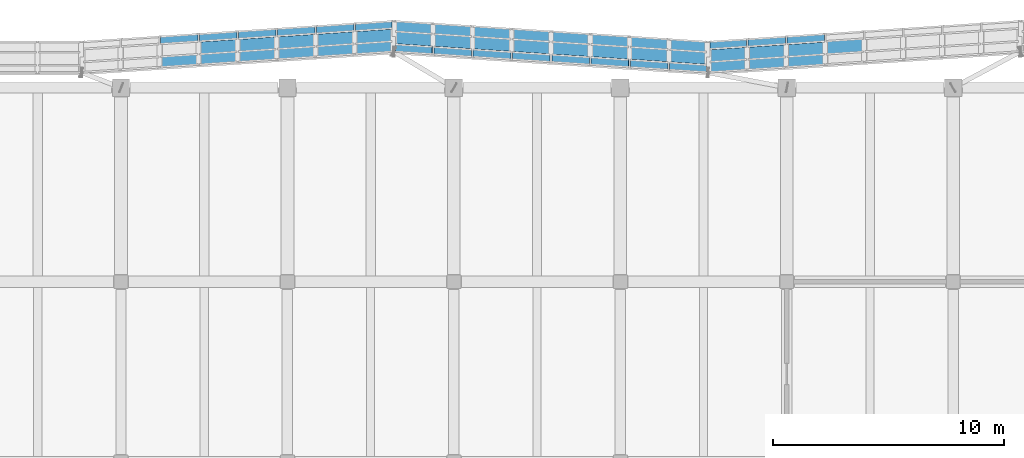
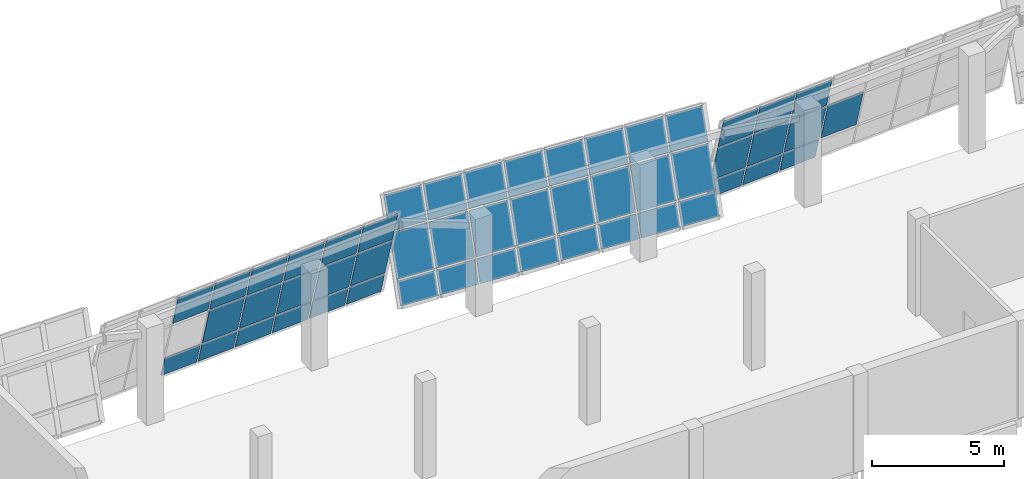
# One storey, part 45 of 71: 51 plates, 3 elements without a shape of their own.
"""IFC4 building model written with IfcOpenShell, lengths in metres."""

import ifcopenshell
import ifcopenshell.guid

model = None  # the IFC model being written
_history = None  # IfcOwnerHistory: only IFC2X3 demands one
_inside = {}  # id of a spatial element -> (the spatial element, [elements in it])
_under = {}  # id of a project, library or spatial element -> (it, [spatial elements below it])
_declared = {}  # id of a project -> (the project, [libraries it declares])
_typed = {}  # id of a type object -> (the type object, [elements of that type])
_made_of = {}  # id of a material, layer set ... -> (it, [elements and type objects made of it])


def new_model(schema):
    """Start an empty IFC model of exactly this schema.

    Asked for "IFC4X3", IfcOpenShell would pick the latest addendum, in which some entities
    have other attributes; the version numbers below select the first issue.
    IFC2X3 requires an IfcOwnerHistory on every rooted entity: one is made here for all.
    """
    global model, _history
    if schema == "IFC4X3":
        model = ifcopenshell.file(schema_version=(4, 3, 0, 0))
    else:
        model = ifcopenshell.file(schema=schema)
    _inside.clear()
    _under.clear()
    _declared.clear()
    _typed.clear()
    _made_of.clear()
    _history = None
    if model.schema == "IFC2X3":
        org = make("IfcOrganization", Name="unknown")
        user = make(
            "IfcPersonAndOrganization",
            ThePerson=make("IfcPerson", FamilyName="unknown"),
            TheOrganization=org,
        )
        app = make(
            "IfcApplication",
            ApplicationDeveloper=org,
            Version="unknown",
            ApplicationFullName="unknown",
            ApplicationIdentifier="unknown",
        )
        _history = make(
            "IfcOwnerHistory",
            OwningUser=user,
            OwningApplication=app,
            ChangeAction="ADDED",
            CreationDate=0,
        )
    return model


def make(cls, **values):
    """One entity of the class cls with the attributes given. An attribute that is None is left unset."""
    return model.create_entity(
        cls, **{name: value for name, value in values.items() if value is not None}
    )


def rooted(cls, **values):
    """An entity with a GlobalId (a new one), such as an element, a storey or a relation."""
    return make(cls, GlobalId=ifcopenshell.guid.new(), OwnerHistory=_history, **values)


def si_unit(unit_type, name, prefix=None):
    """IfcSIUnit, for example si_unit("LENGTHUNIT", "METRE", prefix="MILLI")."""
    return make("IfcSIUnit", UnitType=unit_type, Prefix=prefix, Name=name)


def assignment(units):
    """IfcUnitAssignment: the units of a project."""
    return None if units is None else make("IfcUnitAssignment", Units=units)


def point(xyz):
    """IfcCartesianPoint."""
    return None if xyz is None else make("IfcCartesianPoint", Coordinates=xyz)


def direction(xyz):
    """IfcDirection."""
    return None if xyz is None else make("IfcDirection", DirectionRatios=xyz)


def frame(location, z_axis=None, x_axis=None):
    """IfcAxis2Placement3D, a coordinate frame: its origin and axes. An axis left out is left unset."""
    return make(
        "IfcAxis2Placement3D",
        Location=point(location),
        Axis=direction(z_axis),
        RefDirection=direction(x_axis),
    )


def origin():
    """The frame at (0, 0, 0) with its axes left unset."""
    return frame((0.0, 0.0, 0.0))


def place(relative_to, where):
    """IfcLocalPlacement: puts the frame where relative to a parent placement (None: the world)."""
    return make(
        "IfcLocalPlacement", PlacementRelTo=relative_to, RelativePlacement=where
    )


def context(
    kind, dimensions, precision=None, world=None, true_north=None, identifier=None
):
    """IfcGeometricRepresentationContext, for example the 3D "Model" context."""
    return make(
        "IfcGeometricRepresentationContext",
        ContextIdentifier=identifier,
        ContextType=kind,
        CoordinateSpaceDimension=dimensions,
        Precision=precision,
        WorldCoordinateSystem=world,
        TrueNorth=true_north,
    )


def subcontext(parent, identifier, kind, view, scale=None):
    """IfcGeometricRepresentationSubContext, for example "Body" below "Model"."""
    return make(
        "IfcGeometricRepresentationSubContext",
        ContextIdentifier=identifier,
        ContextType=kind,
        ParentContext=parent,
        TargetScale=scale,
        TargetView=view,
    )


def project(units=None, contexts=None):
    """IfcProject with its units and contexts."""
    return rooted(
        "IfcProject",
        Name="project",
        RepresentationContexts=contexts,
        UnitsInContext=assignment(units),
    )


def spatial(cls, under=None, at=None, **own):
    """A site, building, storey or space (cls), placed at a placement, below another one or the project."""
    s = rooted(cls, ObjectPlacement=at, **own)
    if under is not None:
        _under.setdefault(under.id(), (under, []))[1].append(s)
    return s


def polyline(points):
    """IfcPolyline through the points."""
    return make("IfcPolyline", Points=[point(p) for p in points])


def outline(outer, holes=None, kind="AREA"):
    """IfcArbitraryClosedProfileDef: a profile drawn as a closed curve; with holes, ...WithVoids."""
    if holes is None:
        return make("IfcArbitraryClosedProfileDef", ProfileType=kind, OuterCurve=outer)
    return make(
        "IfcArbitraryProfileDefWithVoids",
        ProfileType=kind,
        OuterCurve=outer,
        InnerCurves=holes,
    )


def extrude(swept, where, along, depth):
    """IfcExtrudedAreaSolid: the profile swept, set in the frame where, extruded along a direction by depth."""
    return make(
        "IfcExtrudedAreaSolid",
        SweptArea=swept,
        Position=where,
        ExtrudedDirection=direction(along),
        Depth=depth,
    )


def shape(context_of_items, identifier, shape_type, items):
    """IfcShapeRepresentation: the items that make up one representation, for example the "Body"."""
    return make(
        "IfcShapeRepresentation",
        ContextOfItems=context_of_items,
        RepresentationIdentifier=identifier,
        RepresentationType=shape_type,
        Items=items,
    )


def material(Name=None, Category=None):
    """IfcMaterial."""
    return make("IfcMaterial", Name=Name, Category=Category)


def layer(
    of_material, thickness, ventilated=None, Name=None, Category=None, Priority=None
):
    """IfcMaterialLayer: one layer of a wall or slab, of a material (None: an air gap)."""
    return make(
        "IfcMaterialLayer",
        Material=of_material,
        LayerThickness=thickness,
        IsVentilated=ventilated,
        Name=Name,
        Category=Category,
        Priority=Priority,
    )


def layer_set(layers, Name=None):
    """IfcMaterialLayerSet."""
    return make("IfcMaterialLayerSet", MaterialLayers=layers, LayerSetName=Name)


def made_of(thing, what):
    """Note that an element or type object is made of a material, layer set ...; save() writes the relation."""
    if what is not None:
        _made_of.setdefault(what.id(), (what, []))[1].append(thing)
    return thing


def type_object(cls, material=None, **own):
    """A type object (cls), such as IfcWallType, which elements share."""
    return made_of(rooted(cls, **own), material)


def element(
    cls,
    number,
    at=None,
    inside=None,
    cuts=None,
    type_object=None,
    material=None,
    context=None,
    identifier="Body",
    shape_type=None,
    held_by="IfcProductDefinitionShape",
    body=None,
    shapes=None,
    **own,
):
    """One element of the class cls, such as IfcWall. Its Tag is "e" and its number.

    at: its placement. inside: the storey or other place that contains it. cuts: it is an
    opening in that element (IfcRelVoidsElement). A single representation is given by context,
    identifier, shape_type and body (its items); several are given by shapes. held_by: the class
    of the entity that holds the representations. save() writes the other relations.
    """
    e = rooted(cls, Tag="e%d" % number, ObjectPlacement=at, **own)
    if body is not None:
        shapes = [shape(context, identifier, shape_type, body)]
    if shapes is not None:
        e.Representation = make(held_by, Representations=shapes)
    if inside is not None:
        _inside.setdefault(inside.id(), (inside, []))[1].append(e)
    if cuts is not None:
        rooted(
            "IfcRelVoidsElement", RelatingBuildingElement=cuts, RelatedOpeningElement=e
        )
    if type_object is not None:
        _typed.setdefault(type_object.id(), (type_object, []))[1].append(e)
    return made_of(e, material)


def aggregate(whole, parts):
    """IfcRelAggregates: a whole, such as a stair, and the parts it consists of."""
    return rooted("IfcRelAggregates", RelatingObject=whole, RelatedObjects=parts)


def save(model, path):
    """Write the relations noted so far, then the file.

    IfcRelAggregates (storeys below a building ...), IfcRelContainedInSpatialStructure (elements
    in a storey), IfcRelDefinesByType, IfcRelAssociatesMaterial and IfcRelDeclares: one each for
    every whole, place, type object, material and project.
    """
    for whole, parts in _under.values():
        aggregate(whole, parts)
    for where, things in _inside.values():
        rooted(
            "IfcRelContainedInSpatialStructure",
            RelatedElements=things,
            RelatingStructure=where,
        )
    for kind, things in _typed.values():
        rooted("IfcRelDefinesByType", RelatedObjects=things, RelatingType=kind)
    for what, things in _made_of.values():
        rooted("IfcRelAssociatesMaterial", RelatedObjects=things, RelatingMaterial=what)
    for by, libraries in _declared.values():
        rooted("IfcRelDeclares", RelatingContext=by, RelatedDefinitions=libraries)
    model.write(path)


model = new_model("IFC4")

# Units and contexts
model_context = context("Model", 3, precision=1e-05, world=origin(), true_north=direction((0.0, 1.0)))
body_context = subcontext(model_context, "Body", "Model", "MODEL_VIEW")
ifc_project = project(units=[si_unit("LENGTHUNIT", "METRE"), si_unit("AREAUNIT", "SQUARE_METRE"), si_unit("VOLUMEUNIT", "CUBIC_METRE"), si_unit("PLANEANGLEUNIT", "RADIAN"), si_unit("MASSUNIT", "GRAM", prefix="KILO")], contexts=[model_context])

# Site, building, storey
site_placement = place(None, origin())
site = spatial("IfcSite", under=ifc_project, at=site_placement, CompositionType="ELEMENT")
building_placement = place(site_placement, origin())
building = spatial("IfcBuilding", under=site, at=building_placement, Name="Pellamere Symphony Hall", CompositionType="ELEMENT")
storey_placement = place(building_placement, frame((0.0, 0.0, 15.0)))
storey = spatial("IfcBuildingStorey", under=building, at=storey_placement, Name="L03", CompositionType="ELEMENT", Elevation=15.0)

# Curtain wall, plates
ifc_material_1 = material(Name="Thermally Broken Anodised Aluminium 6063-T6 Curtain Wall", Category="aluminium")
curtain_wall_type = type_object("IfcCurtainWallType", Name="Curtain Wall CW-01 (Tilted Faceted Crystal Low-Iron Curtain Wall)", PredefinedType="NOTDEFINED", material=ifc_material_1)
curtain_wall_1_placement = place(storey_placement, origin())
curtain_wall_1 = element("IfcCurtainWall", 1, at=curtain_wall_1_placement, inside=storey, type_object=curtain_wall_type, Name="Crystal Faceted Curtain Wall CW-CR11 (L03)", PredefinedType="NOTDEFINED")
ifc_material_2 = material(Name="Triple Laminated Acoustic Crystal Glazing 42mm", Category="glass")
ifc_layer = layer(ifc_material_2, 0.0419921875, Name="Triple Laminated Acoustic Crystal Glazing 42mm")
ifc_layer_set = layer_set([ifc_layer], Name="Triple Laminated Acoustic Crystal Glazing 42mm")
plate_type = type_object("IfcPlateType", Name="Facade Panel GL-02 42mm", PredefinedType="CURTAIN_PANEL", material=ifc_layer_set)
plate_1_placement = place(storey_placement, frame((98.112548828125, 95.699951171875, 1.115966796875), z_axis=(-0.063742803838, 0.956866407618, 0.283449348087), x_axis=(-0.997788498757, -0.06646887804, 0.0)))
plate_1 = element("IfcPlate", 2, at=plate_1_placement, type_object=plate_type, Name="CW1-026 crystal glass panel 5.2", PredefinedType="CURTAIN_PANEL", context=body_context, shape_type="SweptSolid", body=[
    extrude(outline(polyline([(0.0, 0.0), (1.616122885895694, 0.0), (1.6519213099571914, 1.895870161008751), (0.03579842406149748, 1.895870161008751), (0.0, 0.0)])), origin(), (0.0, 0.0, -1.0), 0.0419921875),
])
plate_2_placement = place(storey_placement, frame((96.425048828125, 95.896728515625, 0.072021484375), z_axis=(-0.063739669233, 0.956819352916, 0.283608851153), x_axis=(-0.997788498757, -0.06646887804, 0.0)))
plate_2 = element("IfcPlate", 3, at=plate_2_placement, type_object=plate_type, Name="CW1-026 crystal glass panel 6.1", PredefinedType="CURTAIN_PANEL", context=body_context, shape_type="SweptSolid", body=[
    extrude(outline(polyline([(0.0, 0.0), (1.616122885895694, -3.469446951953614e-18), (1.6352716349403753, 1.0135397182510573), (0.019148749044681338, 1.0135397182510573), (0.0, 0.0)])), origin(), (0.0, 0.0, -1.0), 0.0419921875),
])
plate_3_placement = place(storey_placement, frame((96.425048828125, 95.58740234375, 1.115966796875), z_axis=(-0.063742803838, 0.956866407618, 0.283449348087), x_axis=(-0.997788498757, -0.06646887804, 0.0)))
plate_3 = element("IfcPlate", 4, at=plate_3_placement, type_object=plate_type, Name="CW1-026 crystal glass panel 6.2", PredefinedType="CURTAIN_PANEL", context=body_context, shape_type="SweptSolid", body=[
    extrude(outline(polyline([(0.0, 0.0), (1.616122885895694, 0.0), (1.6519213099571914, 1.895870161008751), (0.03579842406149748, 1.895870161008751), (0.0, 0.0)])), origin(), (0.0, 0.0, -1.0), 0.0419921875),
])
plate_4_placement = place(storey_placement, frame((96.425048828125, 95.027587890625, 3.005859375), z_axis=(-0.063741380075, 0.956845034984, 0.283521807791), x_axis=(-0.997788498757, -0.06646887804, 0.0)))
plate_4 = element("IfcPlate", 5, at=plate_4_placement, type_object=plate_type, Name="CW1-026 crystal glass panel 6.3", PredefinedType="CURTAIN_PANEL", context=body_context, shape_type="SweptSolid", body=[
    extrude(outline(polyline([(0.0, 0.0), (1.616122885895694, -3.469446951953614e-18), (1.6441319883118974, 1.4829717148525519), (0.02800910241620338, 1.4829717148525519), (0.0, 0.0)])), origin(), (0.0, 0.0, -1.0), 0.0419921875),
])
plate_5_placement = place(storey_placement, frame((94.737548828125, 95.7841796875, 0.072021484375), z_axis=(-0.063813980382, 0.956847537844, 0.283497028608), x_axis=(-0.99778388931, -0.066538032828, -2.0489291e-05)))
plate_5 = element("IfcPlate", 6, at=plate_5_placement, type_object=plate_type, Name="CW1-026 crystal glass panel 7.1", PredefinedType="CURTAIN_PANEL", context=body_context, shape_type="SweptSolid", body=[
    extrude(outline(polyline([(0.0, 0.0), (1.6161228816748314, 0.0), (1.6352716392112494, 1.0135397113603168), (0.019132512899497058, 1.0134706512833356), (0.0, 0.0)])), origin(), (0.0, 0.0, -1.0), 0.0419921875),
])
plate_6_placement = place(storey_placement, frame((94.737548828125, 95.474853515625, 1.115966796875), z_axis=(-0.063742803838, 0.956866407618, 0.283449348087), x_axis=(-0.997788498757, -0.06646887804, 0.0)))
plate_6 = element("IfcPlate", 7, at=plate_6_placement, type_object=plate_type, Name="CW1-026 crystal glass panel 7.2", PredefinedType="CURTAIN_PANEL", context=body_context, shape_type="SweptSolid", body=[
    extrude(outline(polyline([(0.0, 0.0), (1.616122885895694, 0.0), (1.6519213099571914, 1.895870161008751), (0.03579842406149748, 1.895870161008751), (0.0, 0.0)])), origin(), (0.0, 0.0, -1.0), 0.0419921875),
])
plate_7_placement = place(storey_placement, frame((94.737548828125, 94.9150390625, 3.005859375), z_axis=(-0.063815004476, 0.956862893455, 0.283444965263), x_axis=(-0.997783889163, -0.066538035048, -2.0485857e-05)))
plate_7 = element("IfcPlate", 8, at=plate_7_placement, type_object=plate_type, Name="CW1-026 crystal glass panel 7.3", PredefinedType="CURTAIN_PANEL", context=body_context, shape_type="SweptSolid", body=[
    extrude(outline(polyline([(0.0, 0.0), (1.616122881674696, -3.469446951953614e-18), (1.64413199260605, 1.4829717100917374), (0.02799286629389127, 1.4829026626974238), (0.0, 0.0)])), origin(), (0.0, 0.0, -1.0), 0.0419921875),
])
plate_8_placement = place(storey_placement, frame((93.050048828125, 95.671630859375, 0.072021484375), z_axis=(-0.063772413154, 0.956882813184, 0.283387298856), x_axis=(-0.997786526209, -0.066498482063, 0.0)))
plate_8 = element("IfcPlate", 9, at=plate_8_placement, type_object=plate_type, Name="CW1-026 crystal glass panel 8.1", PredefinedType="CURTAIN_PANEL", context=body_context, shape_type="SweptSolid", body=[
    extrude(outline(polyline([(0.0, 0.0), (1.578689700777497, 0.0), (1.5978307433439352, 1.0134704969533417), (0.019141042566438286, 1.0134704969533417), (0.0, 0.0)])), origin(), (0.0, 0.0, -1.0), 0.0419921875),
])
plate_9_placement = place(storey_placement, frame((93.050048828125, 95.362548828125, 1.115966796875), z_axis=(-0.063918903753, 0.956855607916, 0.283446148928), x_axis=(-0.997776253366, -0.06665244346, 0.0)))
plate_9 = element("IfcPlate", 10, at=plate_9_placement, type_object=plate_type, Name="CW1-026 crystal glass panel 8.2", PredefinedType="CURTAIN_PANEL", context=body_context, shape_type="SweptSolid", body=[
    extrude(outline(polyline([(0.0, 0.0), (1.5787059545526818, -6.938893903907228e-18), (1.614603242216661, 1.895868291656096), (0.035897287663979247, 1.895868291656096), (0.0, 0.0)])), origin(), (0.0, 0.0, -1.0), 0.0419921875),
])
plate_10_placement = place(storey_placement, frame((93.050048828125, 94.802490234375, 3.005859375), z_axis=(-0.063772748726, 0.956887848324, 0.283370221177), x_axis=(-0.997786526209, -0.066498482063, 0.0)))
plate_10 = element("IfcPlate", 11, at=plate_10_placement, type_object=plate_type, Name="CW1-026 crystal glass panel 8.3", PredefinedType="CURTAIN_PANEL", context=body_context, shape_type="SweptSolid", body=[
    extrude(outline(polyline([(0.0, 0.0), (1.578689700777497, -3.469446951953614e-18), (1.6066950429548559, 1.4829024317369264), (0.028005342177358818, 1.4829024317369264), (0.0, 0.0)])), origin(), (0.0, 0.0, -1.0), 0.0419921875),
])
aggregate(curtain_wall_1, [plate_1, plate_2, plate_3, plate_4, plate_5, plate_6, plate_7, plate_8, plate_9, plate_10])

curtain_wall_2_placement = place(storey_placement, origin())
curtain_wall_2 = element("IfcCurtainWall", 12, at=curtain_wall_2_placement, inside=storey, type_object=curtain_wall_type, Name="Crystal Faceted Curtain Wall CW-CR12 (L03)", PredefinedType="NOTDEFINED")
plate_11_placement = place(storey_placement, frame((91.3251953125, 94.2763671875, 0.072021484375), z_axis=(-0.063264596493, -0.956913803698, 0.283396476905), x_axis=(-0.997821663418, 0.065969144414, 0.0)))
plate_11 = element("IfcPlate", 13, at=plate_11_placement, type_object=plate_type, Name="CW1-029 crystal glass panel 1.1", PredefinedType="CURTAIN_PANEL", context=body_context, shape_type="SweptSolid", body=[
    extrude(outline(polyline([(0.0, 0.0), (1.5913571364661865, -6.938893903907228e-18), (1.6103458135326572, -1.013473363166812), (0.018988677066470592, -1.013473363166812), (0.0, 0.0)])), origin(), (0.0, 0.0, -1.0), 0.0419921875),
])
plate_12_placement = place(storey_placement, frame((91.3251953125, 94.58544921875, 1.115966796875), z_axis=(-0.06340993004, -0.956886740091, 0.283455371108), x_axis=(-0.997811553112, 0.06612189105, 0.0)))
plate_12 = element("IfcPlate", 14, at=plate_12_placement, type_object=plate_type, Name="CW1-029 crystal glass panel 1.2", PredefinedType="CURTAIN_PANEL", context=body_context, shape_type="SweptSolid", body=[
    extrude(outline(polyline([(0.0, 0.0), (1.5913732608602584, 3.469446951953614e-18), (1.626984806674959, -1.895873680489637), (0.03561154581470058, -1.895873680489637), (0.0, 0.0)])), origin(), (0.0, 0.0, -1.0), 0.0419921875),
])
plate_13_placement = place(storey_placement, frame((91.3251953125, 95.145263671875, 3.005859375), z_axis=(-0.063336723899, -0.956892107407, 0.283453619113), x_axis=(-0.997816204768, 0.066051654553, 2.0805731e-05)))
plate_13 = element("IfcPlate", 15, at=plate_13_placement, type_object=plate_type, Name="CW1-029 crystal glass panel 1.3", PredefinedType="CURTAIN_PANEL", context=body_context, shape_type="SweptSolid", body=[
    extrude(outline(polyline([(0.0, 0.0), (1.591373256573352, 0.0), (1.6192200088896131, -1.4829054137007727), (0.02786287820848608, -1.482974464798596), (0.0, 0.0)])), origin(), (0.0, 0.0, -1.0), 0.0419921875),
])
plate_14_placement = place(storey_placement, frame((89.66259765625, 94.38623046875, 0.072021484375), z_axis=(-0.063317514813, -0.956877857224, 0.283506011704), x_axis=(-0.997817469146, 0.066032551464, 2.0331029e-05)))
plate_14 = element("IfcPlate", 16, at=plate_14_placement, type_object=plate_type, Name="CW1-029 crystal glass panel 2.1", PredefinedType="CURTAIN_PANEL", context=body_context, shape_type="SweptSolid", body=[
    extrude(outline(polyline([(0.0, 0.0), (1.6288064568611973, 3.469446951953614e-18), (1.6478331453379382, -1.0134726435317643), (0.019042809705125566, -1.0135417074877644), (0.0, 0.0)])), origin(), (0.0, 0.0, -1.0), 0.0419921875),
])
plate_15_placement = place(storey_placement, frame((89.66259765625, 94.695556640625, 1.115966796875), z_axis=(-0.063246887547, -0.956896659994, 0.283458309648), x_axis=(-0.997822801026, 0.065951935174, 0.0)))
plate_15 = element("IfcPlate", 17, at=plate_15_placement, type_object=plate_type, Name="CW1-029 crystal glass panel 2.2", PredefinedType="CURTAIN_PANEL", context=body_context, shape_type="SweptSolid", body=[
    extrude(outline(polyline([(0.0, 0.0), (1.628790341285339, 6.938893903907228e-18), (1.6643103532465653, -1.8958753976247777), (0.03552001196122634, -1.8958753976247777), (0.0, 0.0)])), origin(), (0.0, 0.0, -1.0), 0.0419921875),
])
plate_16_placement = place(storey_placement, frame((89.66259765625, 95.25537109375, 3.005859375), z_axis=(-0.063318531004, -0.956893214294, 0.283453946998), x_axis=(-0.997817469292, 0.066032549261, 2.0327621e-05)))
plate_16 = element("IfcPlate", 18, at=plate_16_placement, type_object=plate_type, Name="CW1-029 crystal glass panel 2.3", PredefinedType="CURTAIN_PANEL", context=body_context, shape_type="SweptSolid", body=[
    extrude(outline(polyline([(0.0, 0.0), (1.628806456861063, -6.938893903907228e-18), (1.6566444831961924, -1.4829055775359932), (0.027854147562976436, -1.4829746288086836), (0.0, 0.0)])), origin(), (0.0, 0.0, -1.0), 0.0419921875),
])
plate_17_placement = place(storey_placement, frame((87.962646484375, 94.498779296875, 0.072021484375), z_axis=(-0.063317514813, -0.956877857224, 0.283506011704), x_axis=(-0.997817469146, 0.066032551464, 2.0331029e-05)))
plate_17 = element("IfcPlate", 19, at=plate_17_placement, type_object=plate_type, Name="CW1-029 crystal glass panel 3.1", PredefinedType="CURTAIN_PANEL", context=body_context, shape_type="SweptSolid", body=[
    extrude(outline(polyline([(0.0, 0.0), (1.6288064568611973, 3.469446951953614e-18), (1.6478331453379382, -1.0134726435317643), (0.019042809705125566, -1.0135417074877644), (0.0, 0.0)])), origin(), (0.0, 0.0, -1.0), 0.0419921875),
])
plate_18_placement = place(storey_placement, frame((87.962646484375, 94.80810546875, 1.115966796875), z_axis=(-0.063246887547, -0.956896659994, 0.283458309648), x_axis=(-0.997822801026, 0.065951935174, 0.0)))
plate_18 = element("IfcPlate", 20, at=plate_18_placement, type_object=plate_type, Name="CW1-029 crystal glass panel 3.2", PredefinedType="CURTAIN_PANEL", context=body_context, shape_type="SweptSolid", body=[
    extrude(outline(polyline([(0.0, 0.0), (1.628790341285339, 6.938893903907228e-18), (1.6643103532465653, -1.8958753976247777), (0.03552001196122634, -1.8958753976247777), (0.0, 0.0)])), origin(), (0.0, 0.0, -1.0), 0.0419921875),
])
plate_19_placement = place(storey_placement, frame((87.962646484375, 95.367919921875, 3.005859375), z_axis=(-0.063318531004, -0.956893214294, 0.283453946998), x_axis=(-0.99781826272, 0.066020558679, -2.0327822e-05)))
plate_19 = element("IfcPlate", 21, at=plate_19_placement, type_object=plate_type, Name="CW1-029 crystal glass panel 3.3", PredefinedType="CURTAIN_PANEL", context=body_context, shape_type="SweptSolid", body=[
    extrude(outline(polyline([(0.0, 0.0), (1.628790337096903, 3.469446951953614e-18), (1.6565816151032986, -1.4829758083304945), (0.027775159705936955, -1.4829067563744196), (0.0, 0.0)])), origin(), (0.0, 0.0, -1.0), 0.0419921875),
])
plate_20_placement = place(storey_placement, frame((86.2626953125, 94.611328125, 0.072021484375), z_axis=(-0.063317514813, -0.956877857224, 0.283506011704), x_axis=(-0.997818262866, 0.066020556476, -2.033123e-05)))
plate_20 = element("IfcPlate", 22, at=plate_20_placement, type_object=plate_type, Name="CW1-029 crystal glass panel 4.1", PredefinedType="CURTAIN_PANEL", context=body_context, shape_type="SweptSolid", body=[
    extrude(outline(polyline([(0.0, 0.0), (1.6287903370970371, -6.938893903907228e-18), (1.6477901705969515, -1.0135425140297043), (0.01898371519999343, -1.0134734493901942), (0.0, 0.0)])), origin(), (0.0, 0.0, -1.0), 0.0419921875),
])
plate_21_placement = place(storey_placement, frame((86.2626953125, 94.920654296875, 1.115966796875), z_axis=(-0.063319624031, -0.956909732511, 0.283397934075), x_axis=(-0.997818262564, 0.066020561048, -2.0324156e-05)))
plate_21 = element("IfcPlate", 23, at=plate_21_placement, type_object=plate_type, Name="CW1-029 crystal glass panel 4.2", PredefinedType="CURTAIN_PANEL", context=body_context, shape_type="SweptSolid", body=[
    extrude(outline(polyline([(0.0, 0.0), (1.628790337096758, -3.469446951953614e-18), (1.6643103575264884, -1.8958753938676103), (0.03550390212869337, -1.8958063555567923), (0.0, 0.0)])), origin(), (0.0, 0.0, -1.0), 0.0419921875),
])
plate_22_placement = place(storey_placement, frame((86.2626953125, 95.48046875, 3.005859375), z_axis=(-0.063318531004, -0.956893214294, 0.283453946998), x_axis=(-0.99781826272, 0.066020558679, -2.0327822e-05)))
plate_22 = element("IfcPlate", 24, at=plate_22_placement, type_object=plate_type, Name="CW1-029 crystal glass panel 4.3", PredefinedType="CURTAIN_PANEL", context=body_context, shape_type="SweptSolid", body=[
    extrude(outline(polyline([(0.0, 0.0), (1.628790337096903, 3.469446951953614e-18), (1.6565816151032986, -1.4829758083304945), (0.027775159705936955, -1.4829067563744196), (0.0, 0.0)])), origin(), (0.0, 0.0, -1.0), 0.0419921875),
])
plate_23_placement = place(storey_placement, frame((84.5625, 94.723876953125, 0.072021484375), z_axis=(-0.063326989514, -0.956877280825, 0.283505840928), x_axis=(-0.997817609391, 0.066030432193, -2.0334247e-05)))
plate_23 = element("IfcPlate", 25, at=plate_23_placement, type_object=plate_type, Name="CW1-029 crystal glass panel 5.1", PredefinedType="CURTAIN_PANEL", context=body_context, shape_type="SweptSolid", body=[
    extrude(outline(polyline([(0.0, 0.0), (1.6285467280937327, 3.469446951953614e-18), (1.647549403716876, -1.013542460747381), (0.018986554912158612, -1.01347339619461), (0.0, 0.0)])), origin(), (0.0, 0.0, -1.0), 0.0419921875),
])
plate_24_placement = place(storey_placement, frame((84.5625, 95.032958984375, 1.115966796875), z_axis=(-0.063399538991, -0.956887373073, 0.283455558614), x_axis=(-0.997812270832, 0.066111059411, 0.0)))
plate_24 = element("IfcPlate", 26, at=plate_24_placement, type_object=plate_type, Name="CW1-029 crystal glass panel 5.2", PredefinedType="CURTAIN_PANEL", context=body_context, shape_type="SweptSolid", body=[
    extrude(outline(polyline([(0.0, 0.0), (1.6285628544580533, 0.0), (1.664168566630861, -1.8958737900581097), (0.035605712172807766, -1.8958737900581097), (0.0, 0.0)])), origin(), (0.0, 0.0, -1.0), 0.0419921875),
])
plate_25_placement = place(storey_placement, frame((84.5625, 95.593017578125, 3.005859375), z_axis=(-0.063328005856, -0.956892637868, 0.283453776247), x_axis=(-0.997817609245, 0.066030434396, -2.0330839e-05)))
plate_25 = element("IfcPlate", 27, at=plate_25_placement, type_object=plate_type, Name="CW1-029 crystal glass panel 5.3", PredefinedType="CURTAIN_PANEL", context=body_context, shape_type="SweptSolid", body=[
    extrude(outline(polyline([(0.0, 0.0), (1.6285467280935984, 0.0), (1.6563421633067859, -1.4829757304177427), (0.02777931450166513, -1.4829066785483926), (0.0, 0.0)])), origin(), (0.0, 0.0, -1.0), 0.0419921875),
])
plate_26_placement = place(storey_placement, frame((82.862548828125, 94.836181640625, 0.072021484375), z_axis=(-0.063317514813, -0.956877857224, 0.283506011704), x_axis=(-0.997817469146, 0.066032551464, 2.0331029e-05)))
plate_26 = element("IfcPlate", 28, at=plate_26_placement, type_object=plate_type, Name="CW1-029 crystal glass panel 6.1", PredefinedType="CURTAIN_PANEL", context=body_context, shape_type="SweptSolid", body=[
    extrude(outline(polyline([(0.0, 0.0), (1.6288064568611973, 3.469446951953614e-18), (1.6478331453379382, -1.0134726435317643), (0.019042809705125566, -1.0135417074877644), (0.0, 0.0)])), origin(), (0.0, 0.0, -1.0), 0.0419921875),
])
plate_27_placement = place(storey_placement, frame((82.862548828125, 95.1455078125, 1.115966796875), z_axis=(-0.063390053523, -0.956887950799, 0.283455729752), x_axis=(-0.9978129259, 0.066101171747, 0.0)))
plate_27 = element("IfcPlate", 29, at=plate_27_placement, type_object=plate_type, Name="CW1-029 crystal glass panel 6.2", PredefinedType="CURTAIN_PANEL", context=body_context, shape_type="SweptSolid", body=[
    extrude(outline(polyline([(0.0, 0.0), (1.6288064610494575, 0.0), (1.6644068479817382, -1.8958738900620224), (0.03560038693228082, -1.8958738900620224), (0.0, 0.0)])), origin(), (0.0, 0.0, -1.0), 0.0419921875),
])
plate_28_placement = place(storey_placement, frame((82.862548828125, 95.705322265625, 3.005859375), z_axis=(-0.063318531004, -0.956893214294, 0.283453946998), x_axis=(-0.997817469292, 0.066032549261, 2.0327621e-05)))
plate_28 = element("IfcPlate", 30, at=plate_28_placement, type_object=plate_type, Name="CW1-029 crystal glass panel 6.3", PredefinedType="CURTAIN_PANEL", context=body_context, shape_type="SweptSolid", body=[
    extrude(outline(polyline([(0.0, 0.0), (1.628806456861063, -6.938893903907228e-18), (1.6566444831961924, -1.4829055775359932), (0.027854147562976436, -1.4829746288086836), (0.0, 0.0)])), origin(), (0.0, 0.0, -1.0), 0.0419921875),
])
plate_29_placement = place(storey_placement, frame((81.16259765625, 94.94873046875, 0.072021484375), z_axis=(-0.063317514813, -0.956877857224, 0.283506011704), x_axis=(-0.997817469146, 0.066032551464, 2.0331029e-05)))
plate_29 = element("IfcPlate", 31, at=plate_29_placement, type_object=plate_type, Name="CW1-029 crystal glass panel 7.1", PredefinedType="CURTAIN_PANEL", context=body_context, shape_type="SweptSolid", body=[
    extrude(outline(polyline([(0.0, 0.0), (1.6288064568611973, 3.469446951953614e-18), (1.6478331453379382, -1.0134726435317643), (0.019042809705125566, -1.0135417074877644), (0.0, 0.0)])), origin(), (0.0, 0.0, -1.0), 0.0419921875),
])
plate_30_placement = place(storey_placement, frame((81.16259765625, 95.258056640625, 1.115966796875), z_axis=(-0.063246887547, -0.956896659994, 0.283458309648), x_axis=(-0.997822801026, 0.065951935174, 0.0)))
plate_30 = element("IfcPlate", 32, at=plate_30_placement, type_object=plate_type, Name="CW1-029 crystal glass panel 7.2", PredefinedType="CURTAIN_PANEL", context=body_context, shape_type="SweptSolid", body=[
    extrude(outline(polyline([(0.0, 0.0), (1.628790341285339, 6.938893903907228e-18), (1.6643103532465653, -1.8958753976247777), (0.03552001196122634, -1.8958753976247777), (0.0, 0.0)])), origin(), (0.0, 0.0, -1.0), 0.0419921875),
])
plate_31_placement = place(storey_placement, frame((81.16259765625, 95.81787109375, 3.005859375), z_axis=(-0.063318531004, -0.956893214294, 0.283453946998), x_axis=(-0.997817469292, 0.066032549261, 2.0327621e-05)))
plate_31 = element("IfcPlate", 33, at=plate_31_placement, type_object=plate_type, Name="CW1-029 crystal glass panel 7.3", PredefinedType="CURTAIN_PANEL", context=body_context, shape_type="SweptSolid", body=[
    extrude(outline(polyline([(0.0, 0.0), (1.628806456861063, -6.938893903907228e-18), (1.6566444831961924, -1.4829055775359932), (0.027854147562976436, -1.4829746288086836), (0.0, 0.0)])), origin(), (0.0, 0.0, -1.0), 0.0419921875),
])
plate_32_placement = place(storey_placement, frame((79.462646484375, 95.061279296875, 0.072021484375), z_axis=(-0.063260285517, -0.956848597684, 0.283617519534), x_axis=(-0.997821663418, 0.065969144414, 0.0)))
plate_32 = element("IfcPlate", 34, at=plate_32_placement, type_object=plate_type, Name="CW1-029 crystal glass panel 8.1", PredefinedType="CURTAIN_PANEL", context=body_context, shape_type="SweptSolid", body=[
    extrude(outline(polyline([(0.0, 0.0), (1.5913571364661865, 0.0), (1.610361919280805, -1.0135424279686458), (0.019004782814618572, -1.0135424279686458), (0.0, 0.0)])), origin(), (0.0, 0.0, -1.0), 0.0419921875),
])
plate_33_placement = place(storey_placement, frame((79.462646484375, 95.37060546875, 1.115966796875), z_axis=(-0.063263396738, -0.956895656701, 0.283458012446), x_axis=(-0.997821663418, 0.065969144414, 0.0)))
plate_33 = element("IfcPlate", 35, at=plate_33_placement, type_object=plate_type, Name="CW1-029 crystal glass panel 8.2", PredefinedType="CURTAIN_PANEL", context=body_context, shape_type="SweptSolid", body=[
    extrude(outline(polyline([(0.0, 0.0), (1.5913571364661865, -3.469446951953614e-18), (1.6268864168806343, -1.8958752239537984), (0.035529280414447945, -1.8958752239537984), (0.0, 0.0)])), origin(), (0.0, 0.0, -1.0), 0.0419921875),
])
plate_34_placement = place(storey_placement, frame((79.462646484375, 95.930419921875, 3.005859375), z_axis=(-0.063336723899, -0.956892107407, 0.283453619113), x_axis=(-0.99781701709, 0.066039381979, -2.0805942e-05)))
plate_34 = element("IfcPlate", 36, at=plate_34_placement, type_object=plate_type, Name="CW1-029 crystal glass panel 8.3", PredefinedType="CURTAIN_PANEL", context=body_context, shape_type="SweptSolid", body=[
    extrude(outline(polyline([(0.0, 0.0), (1.5913571321792366, -1.0408340855860843e-17), (1.6191556621314394, -1.4829756724097802), (0.02778240705621182, -1.482906620612298), (0.0, 0.0)])), origin(), (0.0, 0.0, -1.0), 0.0419921875),
])
aggregate(curtain_wall_2, [plate_11, plate_12, plate_13, plate_14, plate_15, plate_16, plate_17, plate_18, plate_19, plate_20, plate_21, plate_22, plate_23, plate_24, plate_25, plate_26, plate_27, plate_28, plate_29, plate_30, plate_31, plate_32, plate_33, plate_34])

curtain_wall_3_placement = place(storey_placement, origin())
curtain_wall_3 = element("IfcCurtainWall", 37, at=curtain_wall_3_placement, inside=storey, type_object=curtain_wall_type, Name="Crystal Faceted Curtain Wall CW-CR13 (L03)", PredefinedType="NOTDEFINED")
plate_35_placement = place(storey_placement, frame((77.72509765625, 96.456787109375, 0.072021484375), z_axis=(-0.063768067856, 0.956817613505, 0.283608335578), x_axis=(-0.997786526209, -0.066498482063, 0.0)))
plate_35 = element("IfcPlate", 38, at=plate_35_placement, type_object=plate_type, Name="CW1-032 crystal glass panel 1.1", PredefinedType="CURTAIN_PANEL", context=body_context, shape_type="SweptSolid", body=[
    extrude(outline(polyline([(0.0, 0.0), (1.578689700777497, -3.469446951953614e-18), (1.5978469783249076, 1.0135395570866388), (0.01915727754741067, 1.0135395570866388), (0.0, 0.0)])), origin(), (0.0, 0.0, -1.0), 0.0419921875),
])
plate_36_placement = place(storey_placement, frame((77.72509765625, 96.1474609375, 1.115966796875), z_axis=(-0.063771203847, 0.95686466795, 0.283448832751), x_axis=(-0.997786526209, -0.066498482063, 0.0)))
plate_36 = element("IfcPlate", 39, at=plate_36_placement, type_object=plate_type, Name="CW1-032 crystal glass panel 1.2", PredefinedType="CURTAIN_PANEL", context=body_context, shape_type="SweptSolid", body=[
    extrude(outline(polyline([(0.0, 0.0), (1.578689700777497, 0.0), (1.6145040688025716, 1.8958698598826869), (0.03581436802507452, 1.8958698598826869), (0.0, 0.0)])), origin(), (0.0, 0.0, -1.0), 0.0419921875),
])
plate_37_placement = place(storey_placement, frame((77.72509765625, 95.587646484375, 3.005859375), z_axis=(-0.063769779454, 0.956843295433, 0.283521292346), x_axis=(-0.997786526209, -0.066498482063, 0.0)))
plate_37 = element("IfcPlate", 40, at=plate_37_placement, type_object=plate_type, Name="CW1-032 crystal glass panel 1.3", PredefinedType="CURTAIN_PANEL", context=body_context, shape_type="SweptSolid", body=[
    extrude(outline(polyline([(0.0, 0.0), (1.578689700777497, -3.469446951953614e-18), (1.6067112779358281, 1.4829714791877961), (0.028021577158331198, 1.4829714791877961), (0.0, 0.0)])), origin(), (0.0, 0.0, -1.0), 0.0419921875),
])
plate_38_placement = place(storey_placement, frame((76.0751953125, 96.3466796875, 0.072021484375), z_axis=(-0.063804359707, 0.956848127642, 0.283497203354), x_axis=(-0.997784557971, -0.06652800504, -2.0486228e-05)))
plate_38 = element("IfcPlate", 41, at=plate_38_placement, type_object=plate_type, Name="CW1-032 crystal glass panel 2.1", PredefinedType="CURTAIN_PANEL", context=body_context, shape_type="SweptSolid", body=[
    extrude(outline(polyline([(0.0, 0.0), (1.6163664824646273, 3.469446951953614e-18), (1.6355123541131644, 1.013539765879141), (0.019129629459806567, 1.0134707057134071), (0.0, 0.0)])), origin(), (0.0, 0.0, -1.0), 0.0419921875),
])
plate_39_placement = place(storey_placement, frame((76.0751953125, 96.037353515625, 1.115966796875), z_axis=(-0.063733193807, 0.956866996113, 0.283449522415), x_axis=(-0.997789166031, -0.066458860589, 0.0)))
plate_39 = element("IfcPlate", 42, at=plate_39_placement, type_object=plate_type, Name="CW1-032 crystal glass panel 2.2", PredefinedType="CURTAIN_PANEL", context=body_context, shape_type="SweptSolid", body=[
    extrude(outline(polyline([(0.0, 0.0), (1.616366486684859, 0.0), (1.6521595156058213, 1.8958702628738333), (0.035793028920962165, 1.8958702628738333), (0.0, 0.0)])), origin(), (0.0, 0.0, -1.0), 0.0419921875),
])
plate_40_placement = place(storey_placement, frame((76.0751953125, 95.4775390625, 3.005859375), z_axis=(-0.063805383649, 0.956863483281, 0.283445139983), x_axis=(-0.997784557823, -0.06652800726, -2.0482795e-05)))
plate_40 = element("IfcPlate", 43, at=plate_40_placement, type_object=plate_type, Name="CW1-032 crystal glass panel 2.3", PredefinedType="CURTAIN_PANEL", context=body_context, shape_type="SweptSolid", body=[
    extrude(outline(polyline([(0.0, 0.0), (1.6163664824644917, 0.0), (1.6443713721739868, 1.4829717898125772), (0.027988647520222894, 1.482902742329526), (0.0, 0.0)])), origin(), (0.0, 0.0, -1.0), 0.0419921875),
])
plate_41_placement = place(storey_placement, frame((74.3876953125, 96.234130859375, 0.072021484375), z_axis=(-0.063804359707, 0.956848127642, 0.283497203354), x_axis=(-0.997784557971, -0.06652800504, -2.0486228e-05)))
plate_41 = element("IfcPlate", 44, at=plate_41_placement, type_object=plate_type, Name="CW1-032 crystal glass panel 3.1", PredefinedType="CURTAIN_PANEL", context=body_context, shape_type="SweptSolid", body=[
    extrude(outline(polyline([(0.0, 0.0), (1.6163664824646273, 3.469446951953614e-18), (1.6355123541131644, 1.013539765879141), (0.019129629459806567, 1.0134707057134071), (0.0, 0.0)])), origin(), (0.0, 0.0, -1.0), 0.0419921875),
])
plate_42_placement = place(storey_placement, frame((74.3876953125, 95.925048828125, 1.115966796875), z_axis=(-0.063877451614, 0.956858152749, 0.283446902775), x_axis=(-0.997779138857, -0.066609234065, 0.0)))
plate_42 = element("IfcPlate", 45, at=plate_42_placement, type_object=plate_type, Name="CW1-032 crystal glass panel 3.2", PredefinedType="CURTAIN_PANEL", context=body_context, shape_type="SweptSolid", body=[
    extrude(outline(polyline([(0.0, 0.0), (1.6163827303488496, 0.0), (1.6522567465471327, 1.895868732146411), (0.03587401619828309, 1.895868732146411), (0.0, 0.0)])), origin(), (0.0, 0.0, -1.0), 0.0419921875),
])
plate_43_placement = place(storey_placement, frame((74.3876953125, 95.364990234375, 3.005859375), z_axis=(-0.063805383649, 0.956863483281, 0.283445139983), x_axis=(-0.997784557823, -0.06652800726, -2.0482795e-05)))
plate_43 = element("IfcPlate", 46, at=plate_43_placement, type_object=plate_type, Name="CW1-032 crystal glass panel 3.3", PredefinedType="CURTAIN_PANEL", context=body_context, shape_type="SweptSolid", body=[
    extrude(outline(polyline([(0.0, 0.0), (1.6163664824644917, 0.0), (1.6443713721739868, 1.4829717898125772), (0.027988647520222894, 1.482902742329526), (0.0, 0.0)])), origin(), (0.0, 0.0, -1.0), 0.0419921875),
])
plate_44_placement = place(storey_placement, frame((72.7001953125, 96.12158203125, 0.072021484375), z_axis=(-0.063734402399, 0.956885141479, 0.283387988396), x_axis=(-0.997789166031, -0.066458860589, 0.0)))
plate_44 = element("IfcPlate", 47, at=plate_44_placement, type_object=plate_type, Name="CW1-032 crystal glass panel 4.1", PredefinedType="CURTAIN_PANEL", context=body_context, shape_type="SweptSolid", body=[
    extrude(outline(polyline([(0.0, 0.0), (1.616366486684859, 0.0), (1.635496124535183, 1.013470712285806), (0.01912963785032384, 1.013470712285806), (0.0, 0.0)])), origin(), (0.0, 0.0, -1.0), 0.0419921875),
])
plate_45_placement = place(storey_placement, frame((72.7001953125, 95.8125, 1.115966796875), z_axis=(-0.063877451614, 0.956858152749, 0.283446902775), x_axis=(-0.997779138857, -0.066609234065, 0.0)))
plate_45 = element("IfcPlate", 48, at=plate_45_placement, type_object=plate_type, Name="CW1-032 crystal glass panel 4.2", PredefinedType="CURTAIN_PANEL", context=body_context, shape_type="SweptSolid", body=[
    extrude(outline(polyline([(0.0, 0.0), (1.6163827303488496, 0.0), (1.6522567465471327, 1.895868732146411), (0.03587401619828309, 1.895868732146411), (0.0, 0.0)])), origin(), (0.0, 0.0, -1.0), 0.0419921875),
])
plate_46_placement = place(storey_placement, frame((72.7001953125, 95.252685546875, 3.005859375), z_axis=(-0.063805383649, 0.956863483281, 0.283445139983), x_axis=(-0.997783752229, -0.066540088437, 2.0482589e-05)))
plate_46 = element("IfcPlate", 49, at=plate_46_placement, type_object=plate_type, Name="CW1-032 crystal glass panel 4.3", PredefinedType="CURTAIN_PANEL", context=body_context, shape_type="SweptSolid", body=[
    extrude(outline(polyline([(0.0, 0.0), (1.6163827261285246, 3.469446951953614e-18), (1.6444347192036313, 1.4829015453774923), (0.028068238213885266, 1.4829705921666583), (0.0, 0.0)])), origin(), (0.0, 0.0, -1.0), 0.0419921875),
])
plate_47_placement = place(storey_placement, frame((71.0126953125, 96.00927734375, 0.072021484375), z_axis=(-0.063804359707, 0.956848127642, 0.283497203354), x_axis=(-0.99778375208, -0.066540090657, 2.0486023e-05)))
plate_47 = element("IfcPlate", 50, at=plate_47_placement, type_object=plate_type, Name="CW1-032 crystal glass panel 5.1", PredefinedType="CURTAIN_PANEL", context=body_context, shape_type="SweptSolid", body=[
    extrude(outline(polyline([(0.0, 0.0), (1.6163827261286603, 3.469446951953614e-18), (1.635555656240936, 1.0134698874724453), (0.01918917525159601, 1.0135389469441665), (0.0, 0.0)])), origin(), (0.0, 0.0, -1.0), 0.0419921875),
])
plate_48_placement = place(storey_placement, frame((71.0126953125, 95.699951171875, 1.115966796875), z_axis=(-0.063733193807, 0.956866996113, 0.283449522415), x_axis=(-0.997789166031, -0.066458860589, 0.0)))
plate_48 = element("IfcPlate", 51, at=plate_48_placement, type_object=plate_type, Name="CW1-032 crystal glass panel 5.2", PredefinedType="CURTAIN_PANEL", context=body_context, shape_type="SweptSolid", body=[
    extrude(outline(polyline([(0.0, 0.0), (1.616366486684859, 0.0), (1.6521595156058213, 1.8958702628738333), (0.035793028920962165, 1.8958702628738333), (0.0, 0.0)])), origin(), (0.0, 0.0, -1.0), 0.0419921875),
])
plate_49_placement = place(storey_placement, frame((71.0126953125, 95.14013671875, 3.005859375), z_axis=(-0.063805383649, 0.956863483281, 0.283445139983), x_axis=(-0.997783752229, -0.066540088437, 2.0482589e-05)))
plate_49 = element("IfcPlate", 52, at=plate_49_placement, type_object=plate_type, Name="CW1-032 crystal glass panel 5.3", PredefinedType="CURTAIN_PANEL", context=body_context, shape_type="SweptSolid", body=[
    extrude(outline(polyline([(0.0, 0.0), (1.6163827261285246, 3.469446951953614e-18), (1.6444347192036313, 1.4829015453774923), (0.028068238213885266, 1.4829705921666583), (0.0, 0.0)])), origin(), (0.0, 0.0, -1.0), 0.0419921875),
])
plate_50_placement = place(storey_placement, frame((69.3251953125, 95.896728515625, 0.072021484375), z_axis=(-0.06373005967, 0.956819941323, 0.283609025562), x_axis=(-0.997789166031, -0.066458860589, 0.0)))
plate_50 = element("IfcPlate", 53, at=plate_50_placement, type_object=plate_type, Name="CW1-032 crystal glass panel 6.1", PredefinedType="CURTAIN_PANEL", context=body_context, shape_type="SweptSolid", body=[
    extrude(outline(polyline([(0.0, 0.0), (1.616366486684859, 3.469446951953614e-18), (1.635512349842944, 1.0135397727698408), (0.01914586315808493, 1.0135397727698408), (0.0, 0.0)])), origin(), (0.0, 0.0, -1.0), 0.0419921875),
])
plate_51_placement = place(storey_placement, frame((69.3251953125, 95.027587890625, 3.005859375), z_axis=(-0.063731770256, 0.956845623439, 0.283521982156), x_axis=(-0.997789166031, -0.066458860589, 0.0)))
plate_51 = element("IfcPlate", 54, at=plate_51_placement, type_object=plate_type, Name="CW1-032 crystal glass panel 6.3", PredefinedType="CURTAIN_PANEL", context=body_context, shape_type="SweptSolid", body=[
    extrude(outline(polyline([(0.0, 0.0), (1.616366486684859, 3.469446951953614e-18), (1.6443713678804985, 1.4829717945733487), (0.028004881195639483, 1.4829717945733487), (0.0, 0.0)])), origin(), (0.0, 0.0, -1.0), 0.0419921875),
])
aggregate(curtain_wall_3, [plate_35, plate_36, plate_37, plate_38, plate_39, plate_40, plate_41, plate_42, plate_43, plate_44, plate_45, plate_46, plate_47, plate_48, plate_49, plate_50, plate_51])

save(model, "model.ifc")
